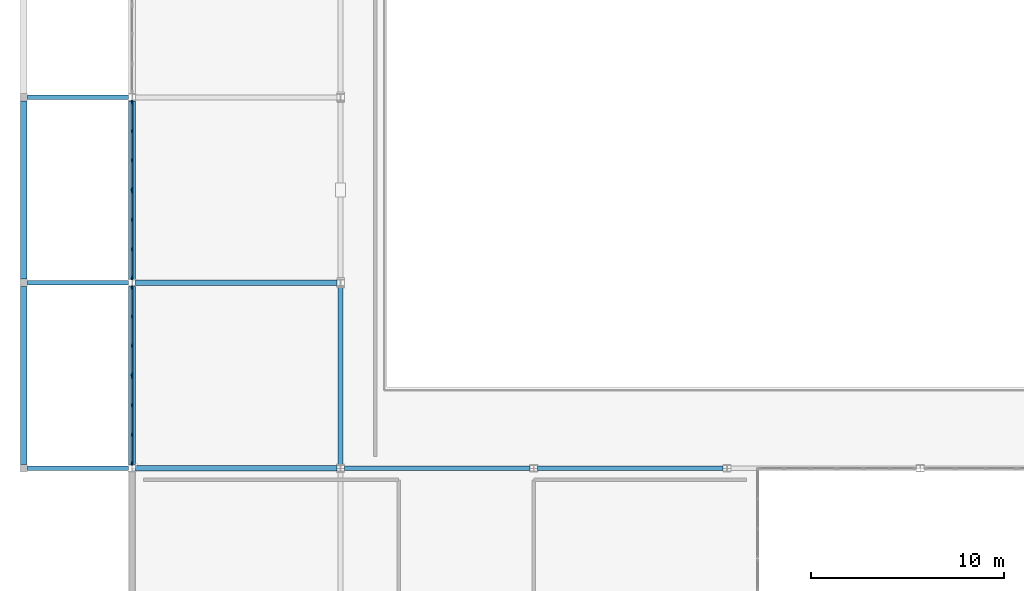
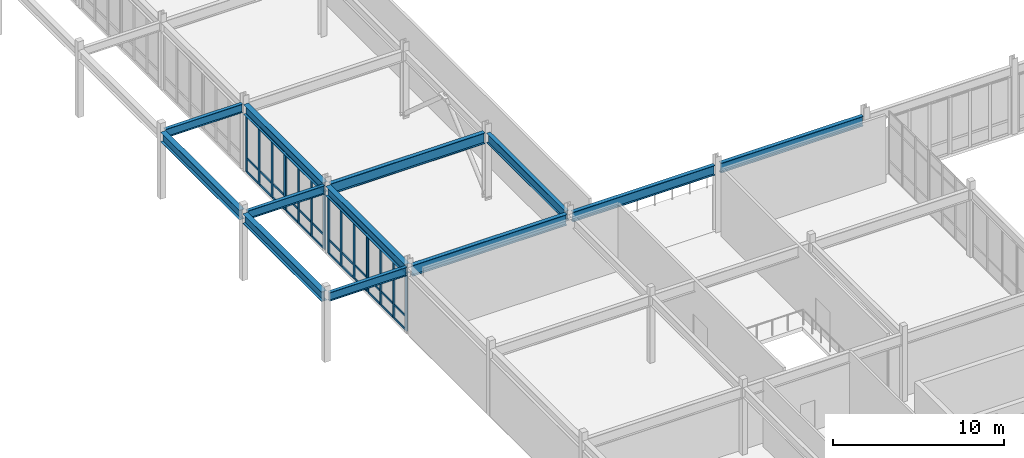
# One storey, part 12 of 68: 52 members, 12 beams, 4 elements without a shape of their own.
"""IFC4 building model written with IfcOpenShell, lengths in metres."""

from ifc_helpers import new_model, si_unit, direction, frame, origin, origin_2d, place, context, subcontext, project, spatial, rectangle, i_section, extrude, material, material_profile, profile_set, type_object, element, aggregate, save


model = new_model("IFC4")

# Units and contexts
model_context = context("Model", 3, precision=1e-05, world=origin(), true_north=direction((0.0, 1.0)))
body_context = subcontext(model_context, "Body", "Model", "MODEL_VIEW")
ifc_project = project(units=[si_unit("LENGTHUNIT", "METRE"), si_unit("AREAUNIT", "SQUARE_METRE"), si_unit("VOLUMEUNIT", "CUBIC_METRE"), si_unit("PLANEANGLEUNIT", "RADIAN"), si_unit("MASSUNIT", "GRAM", prefix="KILO")], contexts=[model_context])

# Site, building, storey
site_placement = place(None, origin())
site = spatial("IfcSite", under=ifc_project, at=site_placement, CompositionType="ELEMENT")
building_placement = place(site_placement, origin())
building = spatial("IfcBuilding", under=site, at=building_placement, Name="Veldera Park Congress Hotel", CompositionType="ELEMENT")
storey_placement = place(building_placement, frame((0.0, 0.0, 10.800048828125)))
storey = spatial("IfcBuildingStorey", under=building, at=storey_placement, Name="L02", CompositionType="ELEMENT", Elevation=10.800048828125)

# Beams
ifc_material_1 = material(Name="Steel ASTM A992 Gr.50", Category="steel")
ifc_material_profile_1 = material_profile(ifc_material_1, i_section(OverallWidth=0.22900390625, OverallDepth=0.612060546875, WebThickness=0.011962890625, FlangeThickness=0.01953125, at=origin_2d()), Name="W24X84")
ifc_profile_set_1 = profile_set([ifc_material_profile_1], Name="Steel ASTM A992 Gr.50")
beam_type_1 = type_object("IfcBeamType", Name="BM-W24", PredefinedType="BEAM", material=ifc_profile_set_1)
for number, where, z_axis, x_axis, name in (
    (1, (-83.60498046875, -21.0, 4.493896484375), (1.0, 0.0, 0.0), (0.0, 1.0, 0.0), "L02 Girder BM-W24 838"),
    (2, (-83.60498046875, -11.39990234375, 4.493896484375), (1.0, 0.0, 0.0), (0.0, 1.0, 0.0), "L02 Girder BM-W24 849"),
    (3, (-83.60498046875, -1.800048828125, 4.493896484375), (1.0, 0.0, 0.0), (0.0, 1.0, 0.0), "L02 Girder BM-W24 853"),
):
    element("IfcBeam", number, at=place(storey_placement, frame(where, z_axis=z_axis, x_axis=x_axis)), inside=storey, type_object=beam_type_1, Name=name, PredefinedType="BEAM", context=body_context, shape_type="SweptSolid", body=[
        extrude(i_section(OverallWidth=0.22900390625, OverallDepth=0.612060546875, WebThickness=0.011962890625, FlangeThickness=0.01953125, at=origin_2d()), origin(), (0.0, 0.0, 1.0), 5.218505859375),
    ])
ifc_material_profile_2 = material_profile(ifc_material_1, i_section(OverallWidth=0.256103515625, OverallDepth=0.693115234375, WebThickness=0.014404296875, FlangeThickness=0.023681640625, at=origin_2d()), Name="W27X114")
ifc_profile_set_2 = profile_set([ifc_material_profile_2], Name="Steel ASTM A992 Gr.50")
beam_type_2 = type_object("IfcBeamType", Name="BM-W27", PredefinedType="BEAM", material=ifc_profile_set_2)
beam_1_placement = place(storey_placement, frame((-67.39990234375, -20.803466796875, 4.453369140625), z_axis=(0.0, 1.0, 0.0), x_axis=(-1.0, 0.0, 0.0)))
element("IfcBeam", 4, at=beam_1_placement, inside=storey, type_object=beam_type_2, Name="L02 Girder BM-W27 943", PredefinedType="BEAM", context=body_context, shape_type="SweptSolid", body=[
    extrude(i_section(OverallWidth=0.256103515625, OverallDepth=0.693115234375, WebThickness=0.014404296875, FlangeThickness=0.023681640625, at=origin_2d()), origin(), (0.0, 0.0, 1.0), 9.2099609375),
])
ifc_material_profile_3 = material_profile(ifc_material_1, i_section(OverallWidth=0.25390625, OverallDepth=0.700927734375, WebThickness=0.015380859375, FlangeThickness=0.02783203125, at=origin_2d()), Name="W27X129")
ifc_profile_set_3 = profile_set([ifc_material_profile_3], Name="Steel ASTM A992 Gr.50")
beam_type_3 = type_object("IfcBeamType", Name="BM-W27B", PredefinedType="BEAM", material=ifc_profile_set_3)
beam_2_placement = place(storey_placement, frame((-67.200439453125, -21.0, 4.449462890625), z_axis=(1.0, 0.0, 0.0), x_axis=(0.0, 1.0, 0.0)))
element("IfcBeam", 5, at=beam_2_placement, inside=storey, type_object=beam_type_3, Name="L02 Girder BM-W27B 840", PredefinedType="BEAM", context=body_context, shape_type="SweptSolid", body=[
    extrude(i_section(OverallWidth=0.25390625, OverallDepth=0.700927734375, WebThickness=0.015380859375, FlangeThickness=0.02783203125, at=origin_2d()), origin(), (0.0, 0.0, 1.0), 9.603515625),
])
beam_3_placement = place(storey_placement, frame((-57.202880859375, -21.0, 4.449462890625), z_axis=(1.0, 0.0, 0.0), x_axis=(0.0, 1.0, 0.0)))
element("IfcBeam", 6, at=beam_3_placement, inside=storey, type_object=beam_type_3, Name="L02 Girder BM-W27B 841", PredefinedType="BEAM", context=body_context, shape_type="SweptSolid", body=[
    extrude(i_section(OverallWidth=0.25390625, OverallDepth=0.700927734375, WebThickness=0.015380859375, FlangeThickness=0.02783203125, at=origin_2d()), origin(), (0.0, 0.0, 1.0), 9.60595703125),
])
ifc_material_profile_4 = material_profile(ifc_material_1, i_section(OverallWidth=0.35498046875, OverallDepth=0.696044921875, WebThickness=0.015380859375, FlangeThickness=0.02490234375, at=origin_2d()), Name="W27X146")
ifc_profile_set_4 = profile_set([ifc_material_profile_4], Name="Steel ASTM A992 Gr.50")
beam_type_4 = type_object("IfcBeamType", Name="BM-W27E", PredefinedType="BEAM", material=ifc_profile_set_4)
for number, where, z_axis, x_axis, name in (
    (7, (-83.800048828125, -20.804931640625, 4.451904296875), (0.0, 1.0, 0.0), (-1.0, 0.0, 0.0), "L02 Girder BM-W27E 925"),
    (8, (-83.800048828125, -11.205078125, 4.451904296875), (0.0, 1.0, 0.0), (-1.0, 0.0, 0.0), "L02 Girder BM-W27E 926"),
):
    element("IfcBeam", number, at=place(storey_placement, frame(where, z_axis=z_axis, x_axis=x_axis)), inside=storey, type_object=beam_type_4, Name=name, PredefinedType="BEAM", context=body_context, shape_type="SweptSolid", body=[
        extrude(i_section(OverallWidth=0.35498046875, OverallDepth=0.696044921875, WebThickness=0.015380859375, FlangeThickness=0.02490234375, at=origin_2d()), origin(), (0.0, 0.0, 1.0), 9.2099609375),
    ])
beam_4_placement = place(storey_placement, frame((-78.199951171875, -20.81591796875, 4.451904296875), z_axis=(0.0, 1.0, 0.0), x_axis=(-1.0, 0.0, 0.0)))
element("IfcBeam", 9, at=beam_4_placement, inside=storey, type_object=beam_type_4, Name="L02 Girder BM-W27E 934", PredefinedType="BEAM", context=body_context, shape_type="SweptSolid", body=[
    extrude(i_section(OverallWidth=0.35498046875, OverallDepth=0.696044921875, WebThickness=0.015380859375, FlangeThickness=0.02490234375, at=origin_2d()), origin(), (0.0, 0.0, 1.0), 9.23193359375),
])
beam_5_placement = place(storey_placement, frame((-78.199951171875, -11.216064453125, 4.451904296875), z_axis=(0.0, 1.0, 0.0), x_axis=(-1.0, 0.0, 0.0)))
element("IfcBeam", 10, at=beam_5_placement, inside=storey, type_object=beam_type_4, Name="L02 Girder BM-W27E 935", PredefinedType="BEAM", context=body_context, shape_type="SweptSolid", body=[
    extrude(i_section(OverallWidth=0.35498046875, OverallDepth=0.696044921875, WebThickness=0.015380859375, FlangeThickness=0.02490234375, at=origin_2d()), origin(), (0.0, 0.0, 1.0), 9.232177734375),
])
ifc_material_profile_5 = material_profile(ifc_material_1, i_section(OverallWidth=0.26708984375, OverallDepth=0.779052734375, WebThickness=0.0166015625, FlangeThickness=0.030029296875, at=origin_2d()), Name="W30X148")
ifc_profile_set_5 = profile_set([ifc_material_profile_5], Name="Steel ASTM A992 Gr.50")
beam_type_5 = type_object("IfcBeamType", Name="BM-W30", PredefinedType="BEAM", material=ifc_profile_set_5)
beam_6_placement = place(storey_placement, frame((-78.013427734375, -21.0, 4.410400390625), z_axis=(1.0, 0.0, 0.0), x_axis=(0.0, 1.0, 0.0)))
element("IfcBeam", 11, at=beam_6_placement, inside=storey, type_object=beam_type_5, Name="L02 Girder BM-W30 839", PredefinedType="BEAM", context=body_context, shape_type="SweptSolid", body=[
    extrude(i_section(OverallWidth=0.26708984375, OverallDepth=0.779052734375, WebThickness=0.0166015625, FlangeThickness=0.030029296875, at=origin_2d()), origin(), (0.0, 0.0, 1.0), 10.413818359375),
])
beam_7_placement = place(storey_placement, frame((-78.013427734375, -11.39990234375, 4.410400390625), z_axis=(1.0, 0.0, 0.0), x_axis=(0.0, 1.0, 0.0)))
element("IfcBeam", 12, at=beam_7_placement, inside=storey, type_object=beam_type_5, Name="L02 Girder BM-W30 850", PredefinedType="BEAM", context=body_context, shape_type="SweptSolid", body=[
    extrude(i_section(OverallWidth=0.26708984375, OverallDepth=0.779052734375, WebThickness=0.0166015625, FlangeThickness=0.030029296875, at=origin_2d()), origin(), (0.0, 0.0, 1.0), 10.4150390625),
])

# Curtain wall, members
ifc_material_2 = material(Name="Low-E Triple Insulating Glass Unit (SHGC 0.22)", Category="glass")
curtain_wall_type = type_object("IfcCurtainWallType", Name="CW-CNG", PredefinedType="NOTDEFINED", material=ifc_material_2)
curtain_wall_1_placement = place(storey_placement, origin())
curtain_wall_1 = element("IfcCurtainWall", 13, at=curtain_wall_1_placement, inside=storey, type_object=curtain_wall_type, Name="L02 Curtain Wall CW3-V1W-L02-051", PredefinedType="NOTDEFINED")
ifc_material_3 = material(Name="Anodised Aluminium Alloy 6063-T6", Category="aluminium")
ifc_material_profile_6 = material_profile(ifc_material_3, rectangle(XDim=0.074951171875, YDim=0.199951171875, at=origin_2d()), Name="ALU 75x200")
ifc_profile_set_6 = profile_set([ifc_material_profile_6], Name="Anodised Aluminium Alloy 6063-T6")
member_type_1 = type_object("IfcMemberType", Name="CWM-200", PredefinedType="MULLION", material=ifc_profile_set_6)
member_1_placement = place(storey_placement, frame((-78.199951171875, -2.0615234375, 0.0), z_axis=(0.0, 0.0, 1.0), x_axis=(1.0, 0.0, 0.0)))
member_1 = element("IfcMember", 14, at=member_1_placement, type_object=member_type_1, Name="CW-CNG mullion 1", PredefinedType="MULLION", context=body_context, shape_type="SweptSolid", body=[
    extrude(rectangle(XDim=0.074951171875, YDim=0.199951171875, at=origin_2d()), origin(), (0.0, 0.0, 1.0), 4.098876953125),
])
member_2_placement = place(storey_placement, frame((-78.199951171875, -3.54443359375, 0.0), z_axis=(0.0, 0.0, 1.0), x_axis=(1.0, 0.0, 0.0)))
member_2 = element("IfcMember", 15, at=member_2_placement, type_object=member_type_1, Name="CW-CNG mullion 2", PredefinedType="MULLION", context=body_context, shape_type="SweptSolid", body=[
    extrude(rectangle(XDim=0.074951171875, YDim=0.199951171875, at=origin_2d()), origin(), (0.0, 0.0, 1.0), 4.098876953125),
])
member_3_placement = place(storey_placement, frame((-78.199951171875, -5.064697265625, 0.0), z_axis=(0.0, 0.0, 1.0), x_axis=(1.0, 0.0, 0.0)))
member_3 = element("IfcMember", 16, at=member_3_placement, type_object=member_type_1, Name="CW-CNG mullion 3", PredefinedType="MULLION", context=body_context, shape_type="SweptSolid", body=[
    extrude(rectangle(XDim=0.074951171875, YDim=0.199951171875, at=origin_2d()), origin(), (0.0, 0.0, 1.0), 4.098876953125),
])
member_4_placement = place(storey_placement, frame((-78.199951171875, -6.547607421875, 0.0), z_axis=(0.0, 0.0, 1.0), x_axis=(1.0, 0.0, 0.0)))
member_4 = element("IfcMember", 17, at=member_4_placement, type_object=member_type_1, Name="CW-CNG mullion 4", PredefinedType="MULLION", context=body_context, shape_type="SweptSolid", body=[
    extrude(rectangle(XDim=0.074951171875, YDim=0.199951171875, at=origin_2d()), origin(), (0.0, 0.0, 1.0), 4.098876953125),
])

curtain_wall_2_placement = place(storey_placement, origin())
curtain_wall_2 = element("IfcCurtainWall", 18, at=curtain_wall_2_placement, inside=storey, type_object=curtain_wall_type, Name="L02 Curtain Wall CW3-V1W-L02-052", PredefinedType="NOTDEFINED")
member_5_placement = place(storey_placement, frame((-78.199951171875, -6.652587890625, 0.0), z_axis=(0.0, 0.0, 1.0), x_axis=(1.0, 0.0, 0.0)))
member_5 = element("IfcMember", 19, at=member_5_placement, type_object=member_type_1, Name="CW-CNG mullion 1", PredefinedType="MULLION", context=body_context, shape_type="SweptSolid", body=[
    extrude(rectangle(XDim=0.074951171875, YDim=0.199951171875, at=origin_2d()), origin(), (0.0, 0.0, 1.0), 4.098876953125),
])
member_6_placement = place(storey_placement, frame((-78.199951171875, -8.13525390625, 0.0), z_axis=(0.0, 0.0, 1.0), x_axis=(1.0, 0.0, 0.0)))
member_6 = element("IfcMember", 20, at=member_6_placement, type_object=member_type_1, Name="CW-CNG mullion 2", PredefinedType="MULLION", context=body_context, shape_type="SweptSolid", body=[
    extrude(rectangle(XDim=0.074951171875, YDim=0.199951171875, at=origin_2d()), origin(), (0.0, 0.0, 1.0), 4.098876953125),
])
member_7_placement = place(storey_placement, frame((-78.199951171875, -9.65576171875, 0.0), z_axis=(0.0, 0.0, 1.0), x_axis=(1.0, 0.0, 0.0)))
member_7 = element("IfcMember", 21, at=member_7_placement, type_object=member_type_1, Name="CW-CNG mullion 3", PredefinedType="MULLION", context=body_context, shape_type="SweptSolid", body=[
    extrude(rectangle(XDim=0.074951171875, YDim=0.199951171875, at=origin_2d()), origin(), (0.0, 0.0, 1.0), 4.098876953125),
])
member_8_placement = place(storey_placement, frame((-78.199951171875, -11.138427734375, 0.0), z_axis=(0.0, 0.0, 1.0), x_axis=(1.0, 0.0, 0.0)))
member_8 = element("IfcMember", 22, at=member_8_placement, type_object=member_type_1, Name="CW-CNG mullion 4", PredefinedType="MULLION", context=body_context, shape_type="SweptSolid", body=[
    extrude(rectangle(XDim=0.074951171875, YDim=0.199951171875, at=origin_2d()), origin(), (0.0, 0.0, 1.0), 4.098876953125),
])

curtain_wall_3_placement = place(storey_placement, origin())
curtain_wall_3 = element("IfcCurtainWall", 23, at=curtain_wall_3_placement, inside=storey, type_object=curtain_wall_type, Name="L02 Curtain Wall CW3-V1W-L02-053", PredefinedType="NOTDEFINED")
member_9_placement = place(storey_placement, frame((-78.199951171875, -11.66162109375, 0.0), z_axis=(0.0, 0.0, 1.0), x_axis=(1.0, 0.0, 0.0)))
member_9 = element("IfcMember", 24, at=member_9_placement, type_object=member_type_1, Name="CW-CNG mullion 1", PredefinedType="MULLION", context=body_context, shape_type="SweptSolid", body=[
    extrude(rectangle(XDim=0.074951171875, YDim=0.199951171875, at=origin_2d()), origin(), (0.0, 0.0, 1.0), 4.098876953125),
])
member_10_placement = place(storey_placement, frame((-78.199951171875, -13.144287109375, 0.0), z_axis=(0.0, 0.0, 1.0), x_axis=(1.0, 0.0, 0.0)))
member_10 = element("IfcMember", 25, at=member_10_placement, type_object=member_type_1, Name="CW-CNG mullion 2", PredefinedType="MULLION", context=body_context, shape_type="SweptSolid", body=[
    extrude(rectangle(XDim=0.074951171875, YDim=0.199951171875, at=origin_2d()), origin(), (0.0, 0.0, 1.0), 4.098876953125),
])
member_11_placement = place(storey_placement, frame((-78.199951171875, -14.66455078125, 0.0), z_axis=(0.0, 0.0, 1.0), x_axis=(1.0, 0.0, 0.0)))
member_11 = element("IfcMember", 26, at=member_11_placement, type_object=member_type_1, Name="CW-CNG mullion 3", PredefinedType="MULLION", context=body_context, shape_type="SweptSolid", body=[
    extrude(rectangle(XDim=0.074951171875, YDim=0.199951171875, at=origin_2d()), origin(), (0.0, 0.0, 1.0), 4.098876953125),
])
member_12_placement = place(storey_placement, frame((-78.199951171875, -16.1474609375, 0.0), z_axis=(0.0, 0.0, 1.0), x_axis=(1.0, 0.0, 0.0)))
member_12 = element("IfcMember", 27, at=member_12_placement, type_object=member_type_1, Name="CW-CNG mullion 4", PredefinedType="MULLION", context=body_context, shape_type="SweptSolid", body=[
    extrude(rectangle(XDim=0.074951171875, YDim=0.199951171875, at=origin_2d()), origin(), (0.0, 0.0, 1.0), 4.098876953125),
])

curtain_wall_4_placement = place(storey_placement, origin())
curtain_wall_4 = element("IfcCurtainWall", 28, at=curtain_wall_4_placement, inside=storey, type_object=curtain_wall_type, Name="L02 Curtain Wall CW3-V1W-L02-054", PredefinedType="NOTDEFINED")
member_13_placement = place(storey_placement, frame((-78.199951171875, -16.25244140625, 0.0), z_axis=(0.0, 0.0, 1.0), x_axis=(1.0, 0.0, 0.0)))
member_13 = element("IfcMember", 29, at=member_13_placement, type_object=member_type_1, Name="CW-CNG mullion 1", PredefinedType="MULLION", context=body_context, shape_type="SweptSolid", body=[
    extrude(rectangle(XDim=0.074951171875, YDim=0.199951171875, at=origin_2d()), origin(), (0.0, 0.0, 1.0), 4.098876953125),
])
member_14_placement = place(storey_placement, frame((-78.199951171875, -17.7353515625, 0.0), z_axis=(0.0, 0.0, 1.0), x_axis=(1.0, 0.0, 0.0)))
member_14 = element("IfcMember", 30, at=member_14_placement, type_object=member_type_1, Name="CW-CNG mullion 2", PredefinedType="MULLION", context=body_context, shape_type="SweptSolid", body=[
    extrude(rectangle(XDim=0.074951171875, YDim=0.199951171875, at=origin_2d()), origin(), (0.0, 0.0, 1.0), 4.098876953125),
])
member_15_placement = place(storey_placement, frame((-78.199951171875, -19.255615234375, 0.0), z_axis=(0.0, 0.0, 1.0), x_axis=(1.0, 0.0, 0.0)))
member_15 = element("IfcMember", 31, at=member_15_placement, type_object=member_type_1, Name="CW-CNG mullion 3", PredefinedType="MULLION", context=body_context, shape_type="SweptSolid", body=[
    extrude(rectangle(XDim=0.074951171875, YDim=0.199951171875, at=origin_2d()), origin(), (0.0, 0.0, 1.0), 4.098876953125),
])
member_16_placement = place(storey_placement, frame((-78.199951171875, -20.738525390625, 0.0), z_axis=(0.0, 0.0, 1.0), x_axis=(1.0, 0.0, 0.0)))
member_16 = element("IfcMember", 32, at=member_16_placement, type_object=member_type_1, Name="CW-CNG mullion 4", PredefinedType="MULLION", context=body_context, shape_type="SweptSolid", body=[
    extrude(rectangle(XDim=0.074951171875, YDim=0.199951171875, at=origin_2d()), origin(), (0.0, 0.0, 1.0), 4.098876953125),
])

# Member
ifc_material_profile_7 = material_profile(ifc_material_3, rectangle(XDim=0.074951171875, YDim=0.14990234375, at=origin_2d()), Name="ALU 75x150")
ifc_profile_set_7 = profile_set([ifc_material_profile_7], Name="Anodised Aluminium Alloy 6063-T6")
member_type_2 = type_object("IfcMemberType", Name="CWT-150", PredefinedType="USERDEFINED", material=ifc_profile_set_7)
member_17_placement = place(storey_placement, frame((-78.199951171875, -2.09912109375, 0.037353515625), z_axis=(0.0, -1.0, 0.0), x_axis=(1.0, 0.0, 0.0)))
member_17 = element("IfcMember", 33, at=member_17_placement, type_object=member_type_2, Name="CW-CNG transom 1.1", ObjectType="TRANSOM", PredefinedType="USERDEFINED", context=body_context, shape_type="SweptSolid", body=[
    extrude(rectangle(XDim=0.074951171875, YDim=0.14990234375, at=origin_2d()), origin(), (0.0, 0.0, 1.0), 1.40771484375),
])

member_18_placement = place(storey_placement, frame((-78.199951171875, -2.09912109375, 1.0), z_axis=(0.0, -1.0, 0.0), x_axis=(1.0, 0.0, 0.0)))
member_18 = element("IfcMember", 34, at=member_18_placement, type_object=member_type_2, Name="CW-CNG transom 1.2", ObjectType="TRANSOM", PredefinedType="USERDEFINED", context=body_context, shape_type="SweptSolid", body=[
    extrude(rectangle(XDim=0.074951171875, YDim=0.14990234375, at=origin_2d()), origin(), (0.0, 0.0, 1.0), 1.40771484375),
])

member_19_placement = place(storey_placement, frame((-78.199951171875, -2.09912109375, 4.0615234375), z_axis=(0.0, -1.0, 0.0), x_axis=(1.0, 0.0, 0.0)))
member_19 = element("IfcMember", 35, at=member_19_placement, type_object=member_type_2, Name="CW-CNG transom 1.3", ObjectType="TRANSOM", PredefinedType="USERDEFINED", context=body_context, shape_type="SweptSolid", body=[
    extrude(rectangle(XDim=0.074951171875, YDim=0.14990234375, at=origin_2d()), origin(), (0.0, 0.0, 1.0), 1.40771484375),
])

member_20_placement = place(storey_placement, frame((-78.199951171875, -3.581787109375, 0.037353515625), z_axis=(0.0, -1.0, 0.0), x_axis=(1.0, 0.0, 0.0)))
member_20 = element("IfcMember", 36, at=member_20_placement, type_object=member_type_2, Name="CW-CNG transom 2.1", ObjectType="TRANSOM", PredefinedType="USERDEFINED", context=body_context, shape_type="SweptSolid", body=[
    extrude(rectangle(XDim=0.074951171875, YDim=0.14990234375, at=origin_2d()), origin(), (0.0, 0.0, 1.0), 1.4453125),
])

member_21_placement = place(storey_placement, frame((-78.199951171875, -3.581787109375, 1.0), z_axis=(0.0, -1.0, 0.0), x_axis=(1.0, 0.0, 0.0)))
member_21 = element("IfcMember", 37, at=member_21_placement, type_object=member_type_2, Name="CW-CNG transom 2.2", ObjectType="TRANSOM", PredefinedType="USERDEFINED", context=body_context, shape_type="SweptSolid", body=[
    extrude(rectangle(XDim=0.074951171875, YDim=0.14990234375, at=origin_2d()), origin(), (0.0, 0.0, 1.0), 1.4453125),
])

member_22_placement = place(storey_placement, frame((-78.199951171875, -3.581787109375, 4.0615234375), z_axis=(0.0, -1.0, 0.0), x_axis=(1.0, 0.0, 0.0)))
member_22 = element("IfcMember", 38, at=member_22_placement, type_object=member_type_2, Name="CW-CNG transom 2.3", ObjectType="TRANSOM", PredefinedType="USERDEFINED", context=body_context, shape_type="SweptSolid", body=[
    extrude(rectangle(XDim=0.074951171875, YDim=0.14990234375, at=origin_2d()), origin(), (0.0, 0.0, 1.0), 1.4453125),
])

member_23_placement = place(storey_placement, frame((-78.199951171875, -5.10205078125, 0.037353515625), z_axis=(0.0, -1.0, 0.0), x_axis=(1.0, 0.0, 0.0)))
member_23 = element("IfcMember", 39, at=member_23_placement, type_object=member_type_2, Name="CW-CNG transom 3.1", ObjectType="TRANSOM", PredefinedType="USERDEFINED", context=body_context, shape_type="SweptSolid", body=[
    extrude(rectangle(XDim=0.074951171875, YDim=0.14990234375, at=origin_2d()), origin(), (0.0, 0.0, 1.0), 1.407958984375),
])

member_24_placement = place(storey_placement, frame((-78.199951171875, -5.10205078125, 1.0), z_axis=(0.0, -1.0, 0.0), x_axis=(1.0, 0.0, 0.0)))
member_24 = element("IfcMember", 40, at=member_24_placement, type_object=member_type_2, Name="CW-CNG transom 3.2", ObjectType="TRANSOM", PredefinedType="USERDEFINED", context=body_context, shape_type="SweptSolid", body=[
    extrude(rectangle(XDim=0.074951171875, YDim=0.14990234375, at=origin_2d()), origin(), (0.0, 0.0, 1.0), 1.407958984375),
])

member_25_placement = place(storey_placement, frame((-78.199951171875, -5.10205078125, 4.0615234375), z_axis=(0.0, -1.0, 0.0), x_axis=(1.0, 0.0, 0.0)))
member_25 = element("IfcMember", 41, at=member_25_placement, type_object=member_type_2, Name="CW-CNG transom 3.3", ObjectType="TRANSOM", PredefinedType="USERDEFINED", context=body_context, shape_type="SweptSolid", body=[
    extrude(rectangle(XDim=0.074951171875, YDim=0.14990234375, at=origin_2d()), origin(), (0.0, 0.0, 1.0), 1.407958984375),
])

aggregate(curtain_wall_1, [member_1, member_2, member_3, member_4, member_17, member_18, member_19, member_20, member_21, member_22, member_23, member_24, member_25])

member_26_placement = place(storey_placement, frame((-78.199951171875, -6.68994140625, 0.037353515625), z_axis=(0.0, -1.0, 0.0), x_axis=(1.0, 0.0, 0.0)))
member_26 = element("IfcMember", 42, at=member_26_placement, type_object=member_type_2, Name="CW-CNG transom 1.1", ObjectType="TRANSOM", PredefinedType="USERDEFINED", context=body_context, shape_type="SweptSolid", body=[
    extrude(rectangle(XDim=0.074951171875, YDim=0.14990234375, at=origin_2d()), origin(), (0.0, 0.0, 1.0), 1.407958984375),
])

member_27_placement = place(storey_placement, frame((-78.199951171875, -6.68994140625, 1.0), z_axis=(0.0, -1.0, 0.0), x_axis=(1.0, 0.0, 0.0)))
member_27 = element("IfcMember", 43, at=member_27_placement, type_object=member_type_2, Name="CW-CNG transom 1.2", ObjectType="TRANSOM", PredefinedType="USERDEFINED", context=body_context, shape_type="SweptSolid", body=[
    extrude(rectangle(XDim=0.074951171875, YDim=0.14990234375, at=origin_2d()), origin(), (0.0, 0.0, 1.0), 1.407958984375),
])

member_28_placement = place(storey_placement, frame((-78.199951171875, -6.68994140625, 4.0615234375), z_axis=(0.0, -1.0, 0.0), x_axis=(1.0, 0.0, 0.0)))
member_28 = element("IfcMember", 44, at=member_28_placement, type_object=member_type_2, Name="CW-CNG transom 1.3", ObjectType="TRANSOM", PredefinedType="USERDEFINED", context=body_context, shape_type="SweptSolid", body=[
    extrude(rectangle(XDim=0.074951171875, YDim=0.14990234375, at=origin_2d()), origin(), (0.0, 0.0, 1.0), 1.407958984375),
])

member_29_placement = place(storey_placement, frame((-78.199951171875, -8.1728515625, 0.037353515625), z_axis=(0.0, -1.0, 0.0), x_axis=(1.0, 0.0, 0.0)))
member_29 = element("IfcMember", 45, at=member_29_placement, type_object=member_type_2, Name="CW-CNG transom 2.1", ObjectType="TRANSOM", PredefinedType="USERDEFINED", context=body_context, shape_type="SweptSolid", body=[
    extrude(rectangle(XDim=0.074951171875, YDim=0.14990234375, at=origin_2d()), origin(), (0.0, 0.0, 1.0), 1.4453125),
])

member_30_placement = place(storey_placement, frame((-78.199951171875, -8.1728515625, 1.0), z_axis=(0.0, -1.0, 0.0), x_axis=(1.0, 0.0, 0.0)))
member_30 = element("IfcMember", 46, at=member_30_placement, type_object=member_type_2, Name="CW-CNG transom 2.2", ObjectType="TRANSOM", PredefinedType="USERDEFINED", context=body_context, shape_type="SweptSolid", body=[
    extrude(rectangle(XDim=0.074951171875, YDim=0.14990234375, at=origin_2d()), origin(), (0.0, 0.0, 1.0), 1.4453125),
])

member_31_placement = place(storey_placement, frame((-78.199951171875, -8.1728515625, 4.0615234375), z_axis=(0.0, -1.0, 0.0), x_axis=(1.0, 0.0, 0.0)))
member_31 = element("IfcMember", 47, at=member_31_placement, type_object=member_type_2, Name="CW-CNG transom 2.3", ObjectType="TRANSOM", PredefinedType="USERDEFINED", context=body_context, shape_type="SweptSolid", body=[
    extrude(rectangle(XDim=0.074951171875, YDim=0.14990234375, at=origin_2d()), origin(), (0.0, 0.0, 1.0), 1.4453125),
])

member_32_placement = place(storey_placement, frame((-78.199951171875, -9.693115234375, 0.037353515625), z_axis=(0.0, -1.0, 0.0), x_axis=(1.0, 0.0, 0.0)))
member_32 = element("IfcMember", 48, at=member_32_placement, type_object=member_type_2, Name="CW-CNG transom 3.1", ObjectType="TRANSOM", PredefinedType="USERDEFINED", context=body_context, shape_type="SweptSolid", body=[
    extrude(rectangle(XDim=0.074951171875, YDim=0.14990234375, at=origin_2d()), origin(), (0.0, 0.0, 1.0), 1.407958984375),
])

member_33_placement = place(storey_placement, frame((-78.199951171875, -9.693115234375, 1.0), z_axis=(0.0, -1.0, 0.0), x_axis=(1.0, 0.0, 0.0)))
member_33 = element("IfcMember", 49, at=member_33_placement, type_object=member_type_2, Name="CW-CNG transom 3.2", ObjectType="TRANSOM", PredefinedType="USERDEFINED", context=body_context, shape_type="SweptSolid", body=[
    extrude(rectangle(XDim=0.074951171875, YDim=0.14990234375, at=origin_2d()), origin(), (0.0, 0.0, 1.0), 1.407958984375),
])

member_34_placement = place(storey_placement, frame((-78.199951171875, -9.693115234375, 4.0615234375), z_axis=(0.0, -1.0, 0.0), x_axis=(1.0, 0.0, 0.0)))
member_34 = element("IfcMember", 50, at=member_34_placement, type_object=member_type_2, Name="CW-CNG transom 3.3", ObjectType="TRANSOM", PredefinedType="USERDEFINED", context=body_context, shape_type="SweptSolid", body=[
    extrude(rectangle(XDim=0.074951171875, YDim=0.14990234375, at=origin_2d()), origin(), (0.0, 0.0, 1.0), 1.407958984375),
])

aggregate(curtain_wall_2, [member_5, member_6, member_7, member_8, member_26, member_27, member_28, member_29, member_30, member_31, member_32, member_33, member_34])

member_35_placement = place(storey_placement, frame((-78.199951171875, -11.698974609375, 0.037353515625), z_axis=(0.0, -1.0, 0.0), x_axis=(1.0, 0.0, 0.0)))
member_35 = element("IfcMember", 51, at=member_35_placement, type_object=member_type_2, Name="CW-CNG transom 1.1", ObjectType="TRANSOM", PredefinedType="USERDEFINED", context=body_context, shape_type="SweptSolid", body=[
    extrude(rectangle(XDim=0.074951171875, YDim=0.14990234375, at=origin_2d()), origin(), (0.0, 0.0, 1.0), 1.407958984375),
])

member_36_placement = place(storey_placement, frame((-78.199951171875, -11.698974609375, 1.0), z_axis=(0.0, -1.0, 0.0), x_axis=(1.0, 0.0, 0.0)))
member_36 = element("IfcMember", 52, at=member_36_placement, type_object=member_type_2, Name="CW-CNG transom 1.2", ObjectType="TRANSOM", PredefinedType="USERDEFINED", context=body_context, shape_type="SweptSolid", body=[
    extrude(rectangle(XDim=0.074951171875, YDim=0.14990234375, at=origin_2d()), origin(), (0.0, 0.0, 1.0), 1.407958984375),
])

member_37_placement = place(storey_placement, frame((-78.199951171875, -11.698974609375, 4.0615234375), z_axis=(0.0, -1.0, 0.0), x_axis=(1.0, 0.0, 0.0)))
member_37 = element("IfcMember", 53, at=member_37_placement, type_object=member_type_2, Name="CW-CNG transom 1.3", ObjectType="TRANSOM", PredefinedType="USERDEFINED", context=body_context, shape_type="SweptSolid", body=[
    extrude(rectangle(XDim=0.074951171875, YDim=0.14990234375, at=origin_2d()), origin(), (0.0, 0.0, 1.0), 1.407958984375),
])

member_38_placement = place(storey_placement, frame((-78.199951171875, -13.181884765625, 0.037353515625), z_axis=(0.0, -1.0, 0.0), x_axis=(1.0, 0.0, 0.0)))
member_38 = element("IfcMember", 54, at=member_38_placement, type_object=member_type_2, Name="CW-CNG transom 2.1", ObjectType="TRANSOM", PredefinedType="USERDEFINED", context=body_context, shape_type="SweptSolid", body=[
    extrude(rectangle(XDim=0.074951171875, YDim=0.14990234375, at=origin_2d()), origin(), (0.0, 0.0, 1.0), 1.4453125),
])

member_39_placement = place(storey_placement, frame((-78.199951171875, -13.181884765625, 1.0), z_axis=(0.0, -1.0, 0.0), x_axis=(1.0, 0.0, 0.0)))
member_39 = element("IfcMember", 55, at=member_39_placement, type_object=member_type_2, Name="CW-CNG transom 2.2", ObjectType="TRANSOM", PredefinedType="USERDEFINED", context=body_context, shape_type="SweptSolid", body=[
    extrude(rectangle(XDim=0.074951171875, YDim=0.14990234375, at=origin_2d()), origin(), (0.0, 0.0, 1.0), 1.4453125),
])

member_40_placement = place(storey_placement, frame((-78.199951171875, -13.181884765625, 4.0615234375), z_axis=(0.0, -1.0, 0.0), x_axis=(1.0, 0.0, 0.0)))
member_40 = element("IfcMember", 56, at=member_40_placement, type_object=member_type_2, Name="CW-CNG transom 2.3", ObjectType="TRANSOM", PredefinedType="USERDEFINED", context=body_context, shape_type="SweptSolid", body=[
    extrude(rectangle(XDim=0.074951171875, YDim=0.14990234375, at=origin_2d()), origin(), (0.0, 0.0, 1.0), 1.4453125),
])

member_41_placement = place(storey_placement, frame((-78.199951171875, -14.7021484375, 0.037353515625), z_axis=(0.0, -1.0, 0.0), x_axis=(1.0, 0.0, 0.0)))
member_41 = element("IfcMember", 57, at=member_41_placement, type_object=member_type_2, Name="CW-CNG transom 3.1", ObjectType="TRANSOM", PredefinedType="USERDEFINED", context=body_context, shape_type="SweptSolid", body=[
    extrude(rectangle(XDim=0.074951171875, YDim=0.14990234375, at=origin_2d()), origin(), (0.0, 0.0, 1.0), 1.407958984375),
])

member_42_placement = place(storey_placement, frame((-78.199951171875, -14.7021484375, 1.0), z_axis=(0.0, -1.0, 0.0), x_axis=(1.0, 0.0, 0.0)))
member_42 = element("IfcMember", 58, at=member_42_placement, type_object=member_type_2, Name="CW-CNG transom 3.2", ObjectType="TRANSOM", PredefinedType="USERDEFINED", context=body_context, shape_type="SweptSolid", body=[
    extrude(rectangle(XDim=0.074951171875, YDim=0.14990234375, at=origin_2d()), origin(), (0.0, 0.0, 1.0), 1.407958984375),
])

member_43_placement = place(storey_placement, frame((-78.199951171875, -14.7021484375, 4.0615234375), z_axis=(0.0, -1.0, 0.0), x_axis=(1.0, 0.0, 0.0)))
member_43 = element("IfcMember", 59, at=member_43_placement, type_object=member_type_2, Name="CW-CNG transom 3.3", ObjectType="TRANSOM", PredefinedType="USERDEFINED", context=body_context, shape_type="SweptSolid", body=[
    extrude(rectangle(XDim=0.074951171875, YDim=0.14990234375, at=origin_2d()), origin(), (0.0, 0.0, 1.0), 1.407958984375),
])

aggregate(curtain_wall_3, [member_9, member_10, member_11, member_12, member_35, member_36, member_37, member_38, member_39, member_40, member_41, member_42, member_43])

member_44_placement = place(storey_placement, frame((-78.199951171875, -16.2900390625, 0.037353515625), z_axis=(0.0, -1.0, 0.0), x_axis=(1.0, 0.0, 0.0)))
member_44 = element("IfcMember", 60, at=member_44_placement, type_object=member_type_2, Name="CW-CNG transom 1.1", ObjectType="TRANSOM", PredefinedType="USERDEFINED", context=body_context, shape_type="SweptSolid", body=[
    extrude(rectangle(XDim=0.074951171875, YDim=0.14990234375, at=origin_2d()), origin(), (0.0, 0.0, 1.0), 1.40771484375),
])

member_45_placement = place(storey_placement, frame((-78.199951171875, -16.2900390625, 1.0), z_axis=(0.0, -1.0, 0.0), x_axis=(1.0, 0.0, 0.0)))
member_45 = element("IfcMember", 61, at=member_45_placement, type_object=member_type_2, Name="CW-CNG transom 1.2", ObjectType="TRANSOM", PredefinedType="USERDEFINED", context=body_context, shape_type="SweptSolid", body=[
    extrude(rectangle(XDim=0.074951171875, YDim=0.14990234375, at=origin_2d()), origin(), (0.0, 0.0, 1.0), 1.40771484375),
])

member_46_placement = place(storey_placement, frame((-78.199951171875, -16.2900390625, 4.0615234375), z_axis=(0.0, -1.0, 0.0), x_axis=(1.0, 0.0, 0.0)))
member_46 = element("IfcMember", 62, at=member_46_placement, type_object=member_type_2, Name="CW-CNG transom 1.3", ObjectType="TRANSOM", PredefinedType="USERDEFINED", context=body_context, shape_type="SweptSolid", body=[
    extrude(rectangle(XDim=0.074951171875, YDim=0.14990234375, at=origin_2d()), origin(), (0.0, 0.0, 1.0), 1.40771484375),
])

member_47_placement = place(storey_placement, frame((-78.199951171875, -17.77294921875, 0.037353515625), z_axis=(0.0, -1.0, 0.0), x_axis=(1.0, 0.0, 0.0)))
member_47 = element("IfcMember", 63, at=member_47_placement, type_object=member_type_2, Name="CW-CNG transom 2.1", ObjectType="TRANSOM", PredefinedType="USERDEFINED", context=body_context, shape_type="SweptSolid", body=[
    extrude(rectangle(XDim=0.074951171875, YDim=0.14990234375, at=origin_2d()), origin(), (0.0, 0.0, 1.0), 1.4453125),
])

member_48_placement = place(storey_placement, frame((-78.199951171875, -17.77294921875, 1.0), z_axis=(0.0, -1.0, 0.0), x_axis=(1.0, 0.0, 0.0)))
member_48 = element("IfcMember", 64, at=member_48_placement, type_object=member_type_2, Name="CW-CNG transom 2.2", ObjectType="TRANSOM", PredefinedType="USERDEFINED", context=body_context, shape_type="SweptSolid", body=[
    extrude(rectangle(XDim=0.074951171875, YDim=0.14990234375, at=origin_2d()), origin(), (0.0, 0.0, 1.0), 1.4453125),
])

member_49_placement = place(storey_placement, frame((-78.199951171875, -17.77294921875, 4.0615234375), z_axis=(0.0, -1.0, 0.0), x_axis=(1.0, 0.0, 0.0)))
member_49 = element("IfcMember", 65, at=member_49_placement, type_object=member_type_2, Name="CW-CNG transom 2.3", ObjectType="TRANSOM", PredefinedType="USERDEFINED", context=body_context, shape_type="SweptSolid", body=[
    extrude(rectangle(XDim=0.074951171875, YDim=0.14990234375, at=origin_2d()), origin(), (0.0, 0.0, 1.0), 1.4453125),
])

member_50_placement = place(storey_placement, frame((-78.199951171875, -19.293212890625, 0.037353515625), z_axis=(0.0, -1.0, 0.0), x_axis=(1.0, 0.0, 0.0)))
member_50 = element("IfcMember", 66, at=member_50_placement, type_object=member_type_2, Name="CW-CNG transom 3.1", ObjectType="TRANSOM", PredefinedType="USERDEFINED", context=body_context, shape_type="SweptSolid", body=[
    extrude(rectangle(XDim=0.074951171875, YDim=0.14990234375, at=origin_2d()), origin(), (0.0, 0.0, 1.0), 1.40771484375),
])

member_51_placement = place(storey_placement, frame((-78.199951171875, -19.293212890625, 1.0), z_axis=(0.0, -1.0, 0.0), x_axis=(1.0, 0.0, 0.0)))
member_51 = element("IfcMember", 67, at=member_51_placement, type_object=member_type_2, Name="CW-CNG transom 3.2", ObjectType="TRANSOM", PredefinedType="USERDEFINED", context=body_context, shape_type="SweptSolid", body=[
    extrude(rectangle(XDim=0.074951171875, YDim=0.14990234375, at=origin_2d()), origin(), (0.0, 0.0, 1.0), 1.40771484375),
])

member_52_placement = place(storey_placement, frame((-78.199951171875, -19.293212890625, 4.0615234375), z_axis=(0.0, -1.0, 0.0), x_axis=(1.0, 0.0, 0.0)))
member_52 = element("IfcMember", 68, at=member_52_placement, type_object=member_type_2, Name="CW-CNG transom 3.3", ObjectType="TRANSOM", PredefinedType="USERDEFINED", context=body_context, shape_type="SweptSolid", body=[
    extrude(rectangle(XDim=0.074951171875, YDim=0.14990234375, at=origin_2d()), origin(), (0.0, 0.0, 1.0), 1.40771484375),
])

aggregate(curtain_wall_4, [member_13, member_14, member_15, member_16, member_44, member_45, member_46, member_47, member_48, member_49, member_50, member_51, member_52])

save(model, "model.ifc")
